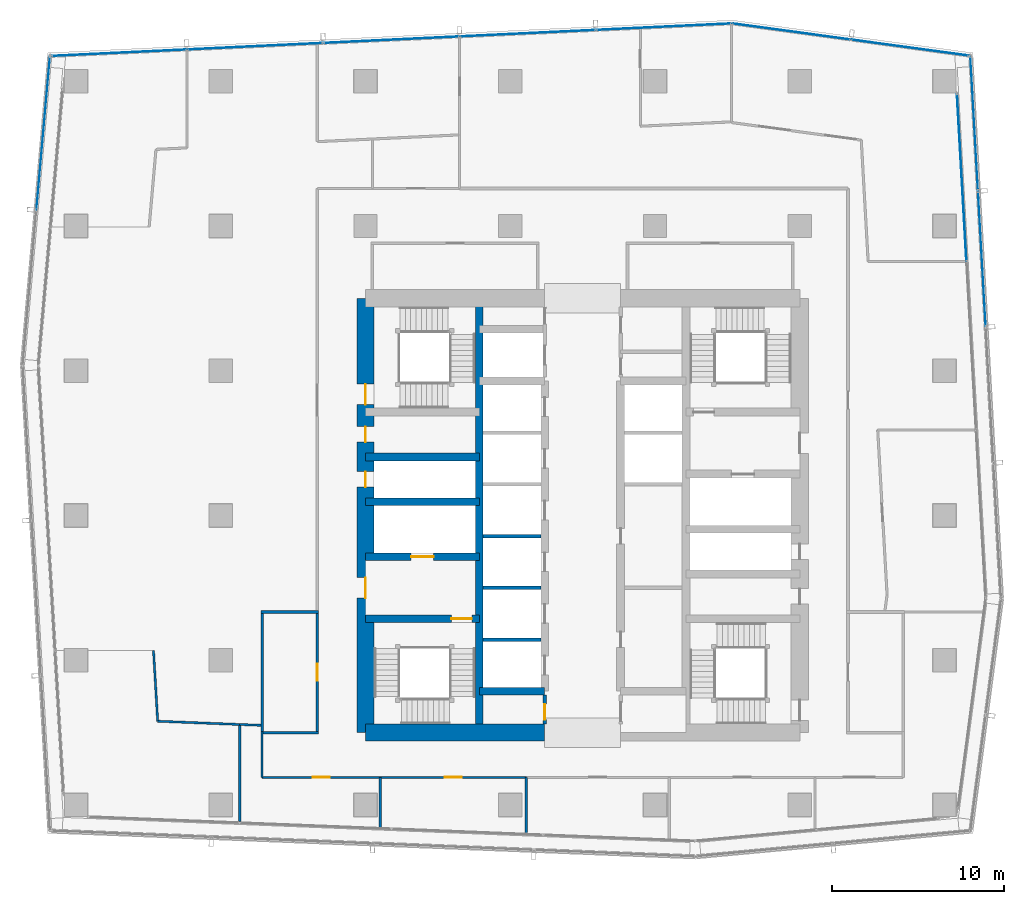
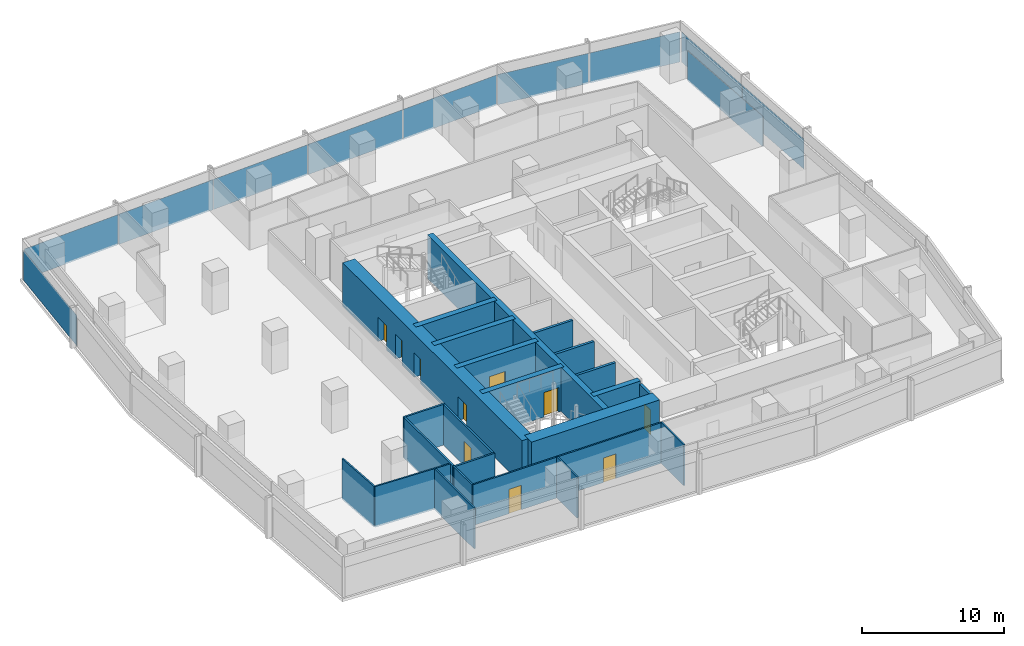
# One storey, part 27 of 40: 25 walls, 11 plates, 10 doors, 10 openings, 5 elements without a shape of their own.
"""IFC4 building model written with IfcOpenShell, lengths in metres."""

from ifc_helpers import new_model, si_unit, direction, frame, frame_2d, origin, origin_2d, place, context, subcontext, project, spatial, rectangle, extrude, material, layer, layer_set, type_object, element, fill, aggregate, save


model = new_model("IFC4")

# Units and contexts
model_context = context("Model", 3, precision=1e-05, world=origin(), true_north=direction((0.0, 1.0)))
body_context = subcontext(model_context, "Body", "Model", "MODEL_VIEW")
ifc_project = project(units=[si_unit("LENGTHUNIT", "METRE"), si_unit("AREAUNIT", "SQUARE_METRE"), si_unit("VOLUMEUNIT", "CUBIC_METRE"), si_unit("PLANEANGLEUNIT", "RADIAN"), si_unit("MASSUNIT", "GRAM", prefix="KILO")], contexts=[model_context])

# Site, building, storey
site_placement = place(None, origin())
site = spatial("IfcSite", under=ifc_project, at=site_placement, CompositionType="ELEMENT")
building_placement = place(site_placement, origin())
building = spatial("IfcBuilding", under=site, at=building_placement, Name="Rekha Terrace Tower", CompositionType="ELEMENT")
storey_placement = place(building_placement, frame((0.0, 0.0, 210.199951171875)))
storey = spatial("IfcBuildingStorey", under=building, at=storey_placement, Name="L53", CompositionType="ELEMENT", Elevation=210.199951171875)

# Curtain wall, plate
ifc_material_1 = material(Name="Aluminium framing", Category="aluminium")
curtain_wall_type_1 = type_object("IfcCurtainWallType", Name="CW1 double skin inner glazing", PredefinedType="USERDEFINED", material=ifc_material_1)
curtain_wall_1_placement = place(storey_placement, origin())
curtain_wall_1 = element("IfcCurtainWall", 1, at=curtain_wall_1_placement, inside=storey, type_object=curtain_wall_type_1, Name="CW1 double skin inner glazing", ObjectType="DOUBLE SKIN INNER GLAZING", PredefinedType="USERDEFINED")
ifc_material_2 = material(Name="Double-glazed low-e unit 32", Category="glass")
ifc_layer_1 = layer(ifc_material_2, 0.031982421875)
ifc_layer_set_1 = layer_set([ifc_layer_1], Name="Double-glazed low-e unit 32")
plate_type_1 = type_object("IfcPlateType", Name="CW1 jumbo vision panel, double-glazed low-e unit 32", PredefinedType="CURTAIN_PANEL", material=ifc_layer_set_1)
plate_1_placement = place(storey_placement, frame((59.799560546875, 53.203369140625, 0.0), z_axis=(0.0, 0.0, 1.0), x_axis=(-0.05667319486, 0.998392782919, 0.0)))
plate_1 = element("IfcPlate", 2, at=plate_1_placement, type_object=plate_type_1, Name="CW1 panel 3.1", PredefinedType="CURTAIN_PANEL", context=body_context, shape_type="SweptSolid", body=[
    extrude(rectangle(XDim=9.694091796875, YDim=0.031982421875, at=origin_2d()), origin(), (0.0, 0.0, 1.0), 2.60009765625),
])
aggregate(curtain_wall_1, [plate_1])

# Curtain wall, plates
curtain_wall_type_2 = type_object("IfcCurtainWallType", Name="CW2 double skin outer glazing", PredefinedType="USERDEFINED", material=ifc_material_1)
curtain_wall_2_placement = place(storey_placement, origin())
curtain_wall_2 = element("IfcCurtainWall", 3, at=curtain_wall_2_placement, inside=storey, type_object=curtain_wall_type_2, Name="CW2 double skin outer glazing", ObjectType="DOUBLE SKIN OUTER GLAZING", PredefinedType="USERDEFINED")
ifc_material_3 = material(Name="Toughened single glazing 12", Category="glass")
ifc_layer_2 = layer(ifc_material_3, 0.011962890625)
ifc_layer_set_2 = layer_set([ifc_layer_2], Name="Toughened single glazing 12")
plate_type_2 = type_object("IfcPlateType", Name="CW2 jumbo vision panel, toughened single glazing 12", PredefinedType="CURTAIN_PANEL", material=ifc_layer_set_2)
plate_2_placement = place(storey_placement, frame((60.9697265625, 48.47314453125, 0.0), z_axis=(0.0, 0.0, 1.0), x_axis=(-0.05667319486, 0.998392782919, 0.0)))
plate_2 = element("IfcPlate", 4, at=plate_2_placement, type_object=plate_type_2, Name="CW2 panel 3.1", PredefinedType="CURTAIN_PANEL", context=body_context, shape_type="SweptSolid", body=[
    extrude(rectangle(XDim=7.823486328125, YDim=0.011962890625, at=origin_2d()), origin(), (0.0, 0.0, 1.0), 2.60009765625),
])
plate_3_placement = place(storey_placement, frame((60.522705078125, 56.343994140625, 0.0), z_axis=(0.0, 0.0, 1.0), x_axis=(-0.05667319486, 0.998392782919, 0.0)))
plate_3 = element("IfcPlate", 5, at=plate_3_placement, type_object=plate_type_2, Name="CW2 panel 4.1", PredefinedType="CURTAIN_PANEL", context=body_context, shape_type="SweptSolid", body=[
    extrude(rectangle(XDim=7.783447265625, YDim=0.011962890625, at=origin_2d()), origin(), (0.0, 0.0, 1.0), 2.60009765625),
])
aggregate(curtain_wall_2, [plate_2, plate_3])

# Curtain wall, plate
curtain_wall_3_placement = place(storey_placement, origin())
curtain_wall_3 = element("IfcCurtainWall", 6, at=curtain_wall_3_placement, inside=storey, type_object=curtain_wall_type_2, Name="CW2 double skin outer glazing", ObjectType="DOUBLE SKIN OUTER GLAZING", PredefinedType="USERDEFINED")
plate_4_placement = place(storey_placement, frame((6.498779296875, 55.78466796875, 0.0), z_axis=(0.0, 0.0, 1.0), x_axis=(-0.087957985453, -0.996124185428, 0.0)))
plate_4 = element("IfcPlate", 7, at=plate_4_placement, type_object=plate_type_2, Name="CW2 panel 1.1", PredefinedType="CURTAIN_PANEL", context=body_context, shape_type="SweptSolid", body=[
    extrude(rectangle(XDim=8.899658203125, YDim=0.011962890625, at=origin_2d()), origin(), (0.0, 0.0, 1.0), 2.60009765625),
])
aggregate(curtain_wall_3, [plate_4])

# Curtain wall, plates
curtain_wall_type_3 = type_object("IfcCurtainWallType", Name="CW3 north unitised glazing", PredefinedType="USERDEFINED", material=ifc_material_1)
curtain_wall_4_placement = place(storey_placement, origin())
curtain_wall_4 = element("IfcCurtainWall", 8, at=curtain_wall_4_placement, inside=storey, type_object=curtain_wall_type_3, Name="CW3 unitised curtain wall", ObjectType="UNITISED CURTAIN WALL", PredefinedType="USERDEFINED")
ifc_material_4 = material(Name="Double-glazed unit 28", Category="glass")
ifc_layer_3 = layer(ifc_material_4, 0.028076171875)
ifc_layer_set_3 = layer_set([ifc_layer_3], Name="Double-glazed unit 28")
plate_type_3 = type_object("IfcPlateType", Name="CW3 jumbo vision panel, double-glazed unit 28", PredefinedType="CURTAIN_PANEL", material=ifc_layer_set_3)
plate_5_placement = place(storey_placement, frame((56.797119140625, 60.745361328125, 0.0), z_axis=(0.0, 0.0, 1.0), x_axis=(-0.990867270504, 0.134840840416, 0.0)))
plate_5 = element("IfcPlate", 9, at=plate_5_placement, type_object=plate_type_3, Name="CW3 panel 1.1", PredefinedType="CURTAIN_PANEL", context=body_context, shape_type="SweptSolid", body=[
    extrude(rectangle(XDim=6.8486328125, YDim=0.028076171875, at=origin_2d()), origin(), (0.0, 0.0, 1.0), 2.60009765625),
])
plate_6_placement = place(storey_placement, frame((49.906982421875, 61.682861328125, 0.0), z_axis=(0.0, 0.0, 1.0), x_axis=(-0.990867270504, 0.134840840416, 0.0)))
plate_6 = element("IfcPlate", 10, at=plate_6_placement, type_object=plate_type_3, Name="CW3 panel 2.1", PredefinedType="CURTAIN_PANEL", context=body_context, shape_type="SweptSolid", body=[
    extrude(rectangle(XDim=6.918701171875, YDim=0.028076171875, at=origin_2d()), origin(), (0.0, 0.0, 1.0), 2.60009765625),
])
aggregate(curtain_wall_4, [plate_5, plate_6])

curtain_wall_5_placement = place(storey_placement, origin())
curtain_wall_5 = element("IfcCurtainWall", 11, at=curtain_wall_5_placement, inside=storey, type_object=curtain_wall_type_3, Name="CW3 unitised curtain wall", ObjectType="UNITISED CURTAIN WALL", PredefinedType="USERDEFINED")
plate_7_placement = place(storey_placement, frame((42.50732421875, 61.95947265625, 0.0), z_axis=(0.0, 0.0, 1.0), x_axis=(-0.998858906204, -0.047758616983, 0.0)))
plate_7 = element("IfcPlate", 12, at=plate_7_placement, type_object=plate_type_3, Name="CW3 panel 1.1", PredefinedType="CURTAIN_PANEL", context=body_context, shape_type="SweptSolid", body=[
    extrude(rectangle(XDim=7.81298828125, YDim=0.028076171875, at=origin_2d()), origin(), (0.0, 0.0, 1.0), 2.60009765625),
])
plate_8_placement = place(storey_placement, frame((34.61572265625, 61.58203125, 0.0), z_axis=(0.0, 0.0, 1.0), x_axis=(-0.998858906204, -0.047758616983, 0.0)))
plate_8 = element("IfcPlate", 13, at=plate_8_placement, type_object=plate_type_3, Name="CW3 panel 2.1", PredefinedType="CURTAIN_PANEL", context=body_context, shape_type="SweptSolid", body=[
    extrude(rectangle(XDim=7.84814453125, YDim=0.028076171875, at=origin_2d()), origin(), (0.0, 0.0, 1.0), 2.60009765625),
])
plate_9_placement = place(storey_placement, frame((26.70654296875, 61.203857421875, 0.0), z_axis=(0.0, 0.0, 1.0), x_axis=(-0.998858906204, -0.047758616983, 0.0)))
plate_9 = element("IfcPlate", 14, at=plate_9_placement, type_object=plate_type_3, Name="CW3 panel 3.1", PredefinedType="CURTAIN_PANEL", context=body_context, shape_type="SweptSolid", body=[
    extrude(rectangle(XDim=7.84814453125, YDim=0.028076171875, at=origin_2d()), origin(), (0.0, 0.0, 1.0), 2.60009765625),
])
plate_10_placement = place(storey_placement, frame((18.79736328125, 60.82568359375, 0.0), z_axis=(0.0, 0.0, 1.0), x_axis=(-0.998858906204, -0.047758616983, 0.0)))
plate_10 = element("IfcPlate", 15, at=plate_10_placement, type_object=plate_type_3, Name="CW3 panel 4.1", PredefinedType="CURTAIN_PANEL", context=body_context, shape_type="SweptSolid", body=[
    extrude(rectangle(XDim=7.84814453125, YDim=0.028076171875, at=origin_2d()), origin(), (0.0, 0.0, 1.0), 2.60009765625),
])
plate_11_placement = place(storey_placement, frame((10.906005859375, 60.448486328125, 0.0), z_axis=(0.0, 0.0, 1.0), x_axis=(-0.998858906204, -0.047758616983, 0.0)))
plate_11 = element("IfcPlate", 16, at=plate_11_placement, type_object=plate_type_3, Name="CW3 panel 5.1", PredefinedType="CURTAIN_PANEL", context=body_context, shape_type="SweptSolid", body=[
    extrude(rectangle(XDim=7.81298828125, YDim=0.028076171875, at=origin_2d()), origin(), (0.0, 0.0, 1.0), 2.60009765625),
])
aggregate(curtain_wall_5, [plate_7, plate_8, plate_9, plate_10, plate_11])

# Walls
ifc_material_5 = material(Name="Concrete M60", Category="concrete")
ifc_layer_4 = layer(ifc_material_5, 0.449951171875)
ifc_layer_set_4 = layer_set([ifc_layer_4], Name="Concrete M60")
wall_type_1 = type_object("IfcWallType", Name="CI3 450 core internal shear wall", PredefinedType="SHEAR", material=ifc_layer_set_4)
wall_1_placement = place(storey_placement, frame((31.800048828125, 21.0, 0.0), z_axis=(0.0, 0.0, 1.0), x_axis=(0.0, 1.0, 0.0)))
element("IfcWall", 17, at=wall_1_placement, inside=storey, type_object=wall_type_1, Name="Core wall X318 L53", PredefinedType="SHEAR", context=body_context, shape_type="SweptSolid", body=[
    extrude(rectangle(XDim=25.199951171875, YDim=0.449951171875, at=frame_2d((12.60009765625, 0.0))), origin(), (0.0, 0.0, 1.0), 3.75),
])
wall_2_placement = place(storey_placement, frame((31.800048828125, 23.39990234375, 0.0), z_axis=(0.0, 0.0, 1.0), x_axis=(1.0, 0.0, 0.0)))
element("IfcWall", 18, at=wall_2_placement, inside=storey, type_object=wall_type_1, Name="Core wall Y234W L53", PredefinedType="SHEAR", context=body_context, shape_type="SweptSolid", body=[
    extrude(rectangle(XDim=3.800048828125, YDim=0.449951171875, at=frame_2d((1.89990234375, 0.0))), origin(), (0.0, 0.0, 1.0), 3.75),
])

# Wall, opening, door
wall_3_placement = place(storey_placement, frame((25.199951171875, 27.60009765625, 0.0), z_axis=(0.0, 0.0, 1.0), x_axis=(1.0, 0.0, 0.0)))
wall_3 = element("IfcWall", 19, at=wall_3_placement, inside=storey, type_object=wall_type_1, Name="Core wall Y276W L53", PredefinedType="SHEAR", context=body_context, shape_type="SweptSolid", body=[
    extrude(rectangle(XDim=6.60009765625, YDim=0.449951171875, at=frame_2d((3.300048828125, 0.0))), origin(), (0.0, 0.0, 1.0), 3.75),
])
opening_1_placement = place(wall_3_placement, frame((4.97509765625, 0.0, 0.0)))
opening_1 = element("IfcOpeningElement", 20, at=opening_1_placement, cuts=wall_3, Name="Opening D1", PredefinedType="OPENING", context=body_context, shape_type="SweptSolid", body=[
    extrude(rectangle(XDim=1.199951171875, YDim=2.10009765625, at=frame_2d((0.60009765625, 1.050048828125))), frame((0.0, 0.23486328125, 0.0), z_axis=(0.0, -1.0, 0.0), x_axis=(1.0, 0.0, 0.0)), (0.0, 0.0, 1.0), 0.469970703125),
])
ifc_material_6 = material(Name="Steel fire door", Category="steel")
door_type_1 = type_object("IfcDoorType", Name="D1 1200x2100 stair fire door", OperationType="SINGLE_SWING_RIGHT", PredefinedType="DOOR", material=ifc_material_6)
door_1_placement = place(opening_1_placement, origin())
door_1 = element("IfcDoor", 21, at=door_1_placement, inside=storey, type_object=door_type_1, Name="Stair ST1 door L53", OperationType="SINGLE_SWING_RIGHT", OverallHeight=2.10009765625, OverallWidth=1.199951171875, PredefinedType="DOOR", context=body_context, shape_type="SweptSolid", body=[
    extrude(rectangle(XDim=1.199951171875, YDim=2.10009765625, at=frame_2d((0.60009765625, 1.050048828125))), frame((0.0, 0.02490234375, 0.0), z_axis=(0.0, -1.0, 0.0), x_axis=(1.0, 0.0, 0.0)), (0.0, 0.0, 1.0), 0.050048828125),
])
fill(opening_1, door_1)

wall_4_placement = place(storey_placement, frame((25.199951171875, 31.199951171875, 0.0), z_axis=(0.0, 0.0, 1.0), x_axis=(1.0, 0.0, 0.0)))
wall_4 = element("IfcWall", 22, at=wall_4_placement, inside=storey, type_object=wall_type_1, Name="Core wall Y312W L53", PredefinedType="SHEAR", context=body_context, shape_type="SweptSolid", body=[
    extrude(rectangle(XDim=6.60009765625, YDim=0.449951171875, at=frame_2d((3.300048828125, 0.0))), origin(), (0.0, 0.0, 1.0), 3.75),
])
opening_2_placement = place(wall_4_placement, frame((2.64990234375, 0.0, 0.0)))
opening_2 = element("IfcOpeningElement", 23, at=opening_2_placement, cuts=wall_4, Name="Opening LD2", PredefinedType="OPENING", context=body_context, shape_type="SweptSolid", body=[
    extrude(rectangle(XDim=1.300048828125, YDim=2.10009765625, at=frame_2d((0.64990234375, 1.050048828125))), frame((0.0, 0.23486328125, 0.0), z_axis=(0.0, -1.0, 0.0), x_axis=(1.0, 0.0, 0.0)), (0.0, 0.0, 1.0), 0.469970703125),
])
ifc_material_7 = material(Name="Stainless steel sliding landing door", Category="steel")
door_type_2 = type_object("IfcDoorType", Name="LD2 1300x2100 fire lift landing door", OperationType="SLIDING_TO_LEFT", PredefinedType="USERDEFINED", material=ifc_material_7)
door_2_placement = place(opening_2_placement, origin())
door_2 = element("IfcDoor", 24, at=door_2_placement, inside=storey, type_object=door_type_2, Name="Lift FL1 landing door L53", ObjectType="LIFT LANDING DOOR", OperationType="SLIDING_TO_LEFT", OverallHeight=2.10009765625, OverallWidth=1.300048828125, PredefinedType="USERDEFINED", context=body_context, shape_type="SweptSolid", body=[
    extrude(rectangle(XDim=1.300048828125, YDim=2.10009765625, at=frame_2d((0.64990234375, 1.050048828125))), frame((0.0, 0.02490234375, 0.0), z_axis=(0.0, -1.0, 0.0), x_axis=(1.0, 0.0, 0.0)), (0.0, 0.0, 1.0), 0.050048828125),
])
fill(opening_2, door_2)

# Walls
for number, where, z_axis, x_axis, name in (
    (25, (25.199951171875, 34.39990234375, 0.0), (0.0, 0.0, 1.0), (1.0, 0.0, 0.0), "Core wall Y344W L53"),
    (26, (25.199951171875, 37.0, 0.0), (0.0, 0.0, 1.0), (1.0, 0.0, 0.0), "Core wall Y370W L53"),
):
    element("IfcWall", number, at=place(storey_placement, frame(where, z_axis=z_axis, x_axis=x_axis)), inside=storey, type_object=wall_type_1, Name=name, PredefinedType="SHEAR", context=body_context, shape_type="SweptSolid", body=[
        extrude(rectangle(XDim=6.60009765625, YDim=0.449951171875, at=frame_2d((3.300048828125, 0.0))), origin(), (0.0, 0.0, 1.0), 3.75),
    ])
ifc_layer_5 = layer(ifc_material_5, 1.0)
ifc_layer_set_5 = layer_set([ifc_layer_5], Name="Concrete M60")
wall_type_2 = type_object("IfcWallType", Name="SW3 1000 core outer shear wall", PredefinedType="SHEAR", material=ifc_layer_set_5)
wall_5_placement = place(storey_placement, frame((25.199951171875, 21.0, 0.0), z_axis=(0.0, 0.0, 1.0), x_axis=(1.0, 0.0, 0.0)))
element("IfcWall", 27, at=wall_5_placement, inside=storey, type_object=wall_type_2, Name="Core wall S1 L53", PredefinedType="SHEAR", context=body_context, shape_type="SweptSolid", body=[
    extrude(rectangle(XDim=10.400146484375, YDim=1.0, at=frame_2d((5.2001953125, 0.0))), origin(), (0.0, 0.0, 1.0), 3.75),
])

# Wall, openings, doors
wall_6_placement = place(storey_placement, frame((25.199951171875, 21.0, 0.0), z_axis=(0.0, 0.0, 1.0), x_axis=(0.0, 1.0, 0.0)))
wall_6 = element("IfcWall", 28, at=wall_6_placement, inside=storey, type_object=wall_type_2, Name="Core wall W L53", PredefinedType="SHEAR", context=body_context, shape_type="SweptSolid", body=[
    extrude(rectangle(XDim=25.199951171875, YDim=1.0, at=frame_2d((12.60009765625, 0.0))), origin(), (0.0, 0.0, 1.0), 3.75),
])
opening_3_placement = place(wall_6_placement, frame((7.800048828125, 0.0, 0.0)))
opening_3 = element("IfcOpeningElement", 29, at=opening_3_placement, cuts=wall_6, Name="Opening D2", PredefinedType="OPENING", context=body_context, shape_type="SweptSolid", body=[
    extrude(rectangle(XDim=1.199951171875, YDim=2.10009765625, at=frame_2d((0.60009765625, 1.050048828125))), frame((0.0, 0.510009765625, 0.0), z_axis=(0.0, -1.0, 0.0), x_axis=(1.0, 0.0, 0.0)), (0.0, 0.0, 1.0), 1.02001953125),
])
opening_4_placement = place(wall_6_placement, frame((14.25, 0.0, 0.0)))
opening_4 = element("IfcOpeningElement", 30, at=opening_4_placement, cuts=wall_6, Name="Opening D5", PredefinedType="OPENING", context=body_context, shape_type="SweptSolid", body=[
    extrude(rectangle(XDim=0.89990234375, YDim=2.10009765625, at=frame_2d((0.449951171875, 1.050048828125))), frame((0.0, 0.510009765625, 0.0), z_axis=(0.0, -1.0, 0.0), x_axis=(1.0, 0.0, 0.0)), (0.0, 0.0, 1.0), 1.02001953125),
])
opening_5_placement = place(wall_6_placement, frame((16.85009765625, 0.0, 0.0)))
opening_5 = element("IfcOpeningElement", 31, at=opening_5_placement, cuts=wall_6, Name="Opening D5", PredefinedType="OPENING", context=body_context, shape_type="SweptSolid", body=[
    extrude(rectangle(XDim=0.89990234375, YDim=2.10009765625, at=frame_2d((0.449951171875, 1.050048828125))), frame((0.0, 0.510009765625, 0.0), z_axis=(0.0, -1.0, 0.0), x_axis=(1.0, 0.0, 0.0)), (0.0, 0.0, 1.0), 1.02001953125),
])
opening_6_placement = place(wall_6_placement, frame((19.02490234375, 0.0, 0.0)))
opening_6 = element("IfcOpeningElement", 32, at=opening_6_placement, cuts=wall_6, Name="Opening D1", PredefinedType="OPENING", context=body_context, shape_type="SweptSolid", body=[
    extrude(rectangle(XDim=1.199951171875, YDim=2.10009765625, at=frame_2d((0.60009765625, 1.050048828125))), frame((0.0, 0.510009765625, 0.0), z_axis=(0.0, -1.0, 0.0), x_axis=(1.0, 0.0, 0.0)), (0.0, 0.0, 1.0), 1.02001953125),
])
door_3_placement = place(opening_6_placement, origin())
door_3 = element("IfcDoor", 33, at=door_3_placement, inside=storey, type_object=door_type_1, Name="Stair ST4 door L53", OperationType="SINGLE_SWING_RIGHT", OverallHeight=2.10009765625, OverallWidth=1.199951171875, PredefinedType="DOOR", context=body_context, shape_type="SweptSolid", body=[
    extrude(rectangle(XDim=1.199951171875, YDim=2.10009765625, at=frame_2d((0.60009765625, 1.050048828125))), frame((0.0, 0.02490234375, 0.0), z_axis=(0.0, -1.0, 0.0), x_axis=(1.0, 0.0, 0.0)), (0.0, 0.0, 1.0), 0.050048828125),
])
fill(opening_6, door_3)
door_type_3 = type_object("IfcDoorType", Name="D2 1200x2100 firefighting lobby door", OperationType="SINGLE_SWING_LEFT", PredefinedType="DOOR", material=ifc_material_6)
door_4_placement = place(opening_3_placement, origin())
door_4 = element("IfcDoor", 34, at=door_4_placement, inside=storey, type_object=door_type_3, Name="Door flb1 L53", OperationType="SINGLE_SWING_LEFT", OverallHeight=2.10009765625, OverallWidth=1.199951171875, PredefinedType="DOOR", context=body_context, shape_type="SweptSolid", body=[
    extrude(rectangle(XDim=1.199951171875, YDim=2.10009765625, at=frame_2d((0.60009765625, 1.050048828125))), frame((0.0, 0.02490234375, 0.0), z_axis=(0.0, -1.0, 0.0), x_axis=(1.0, 0.0, 0.0)), (0.0, 0.0, 1.0), 0.050048828125),
])
fill(opening_3, door_4)
door_type_4 = type_object("IfcDoorType", Name="D5 900x2100 riser access door", OperationType="SINGLE_SWING_LEFT", PredefinedType="DOOR", material=ifc_material_6)
door_5_placement = place(opening_4_placement, origin())
door_5 = element("IfcDoor", 35, at=door_5_placement, inside=storey, type_object=door_type_4, Name="Door rs1 L53", OperationType="SINGLE_SWING_LEFT", OverallHeight=2.10009765625, OverallWidth=0.89990234375, PredefinedType="DOOR", context=body_context, shape_type="SweptSolid", body=[
    extrude(rectangle(XDim=0.89990234375, YDim=2.10009765625, at=frame_2d((0.449951171875, 1.050048828125))), frame((0.0, 0.02490234375, 0.0), z_axis=(0.0, -1.0, 0.0), x_axis=(1.0, 0.0, 0.0)), (0.0, 0.0, 1.0), 0.050048828125),
])
fill(opening_4, door_5)
door_6_placement = place(opening_5_placement, origin())
door_6 = element("IfcDoor", 36, at=door_6_placement, inside=storey, type_object=door_type_4, Name="Door elw L53", OperationType="SINGLE_SWING_LEFT", OverallHeight=2.10009765625, OverallWidth=0.89990234375, PredefinedType="DOOR", context=body_context, shape_type="SweptSolid", body=[
    extrude(rectangle(XDim=0.89990234375, YDim=2.10009765625, at=frame_2d((0.449951171875, 1.050048828125))), frame((0.0, 0.02490234375, 0.0), z_axis=(0.0, -1.0, 0.0), x_axis=(1.0, 0.0, 0.0)), (0.0, 0.0, 1.0), 0.050048828125),
])
fill(opening_5, door_6)

# Walls
ifc_material_8 = material(Name="Concrete block masonry, 1 hour", Category="masonry")
ifc_layer_6 = layer(ifc_material_8, 0.14990234375)
ifc_layer_set_6 = layer_set([ifc_layer_6], Name="Concrete block masonry, 1 hour")
wall_type_3 = type_object("IfcWallType", Name="WP2 150 tenancy partition", PredefinedType="PARTITIONING", material=ifc_layer_set_6)
for number, where, z_axis, x_axis, name in (
    (37, (19.125, 21.0, 0.0), (0.0, 0.0, 1.0), (1.0, 0.0, 0.0), "Men's WC wall L53"),
    (38, (19.125, 28.0, 0.0), (0.0, 0.0, 1.0), (1.0, 0.0, 0.0), "Men's WC wall L53"),
):
    element("IfcWall", number, at=place(storey_placement, frame(where, z_axis=z_axis, x_axis=x_axis)), inside=storey, type_object=wall_type_3, Name=name, PredefinedType="PARTITIONING", context=body_context, shape_type="SweptSolid", body=[
        extrude(rectangle(XDim=3.35009765625, YDim=0.14990234375, at=frame_2d((1.675048828125, 0.0))), origin(), (0.0, 0.0, 1.0), 3.5),
    ])
wall_7_placement = place(storey_placement, frame((19.199951171875, 21.074951171875, 0.0), z_axis=(0.0, 0.0, 1.0), x_axis=(0.0, 1.0, 0.0)))
element("IfcWall", 39, at=wall_7_placement, inside=storey, type_object=wall_type_3, Name="Men's WC wall L53", PredefinedType="PARTITIONING", context=body_context, shape_type="SweptSolid", body=[
    extrude(rectangle(XDim=6.85009765625, YDim=0.14990234375, at=frame_2d((3.425048828125, 0.0))), origin(), (0.0, 0.0, 1.0), 3.5),
])

# Wall, opening, door
wall_8_placement = place(storey_placement, frame((22.39990234375, 21.074951171875, 0.0), z_axis=(0.0, 0.0, 1.0), x_axis=(0.0, 1.0, 0.0)))
wall_8 = element("IfcWall", 40, at=wall_8_placement, inside=storey, type_object=wall_type_3, Name="Men's WC wall L53", PredefinedType="PARTITIONING", context=body_context, shape_type="SweptSolid", body=[
    extrude(rectangle(XDim=6.85009765625, YDim=0.14990234375, at=frame_2d((3.425048828125, 0.0))), origin(), (0.0, 0.0, 1.0), 3.5),
])
opening_7_placement = place(wall_8_placement, frame((2.925048828125, 0.0, 0.0)))
opening_7 = element("IfcOpeningElement", 41, at=opening_7_placement, cuts=wall_8, Name="Opening D3", PredefinedType="OPENING", context=body_context, shape_type="SweptSolid", body=[
    extrude(rectangle(XDim=1.0, YDim=2.10009765625, at=frame_2d((0.5, 1.050048828125))), frame((0.0, 0.0849609375, 0.0), z_axis=(0.0, -1.0, 0.0), x_axis=(1.0, 0.0, 0.0)), (0.0, 0.0, 1.0), 0.169921875),
])
ifc_material_9 = material(Name="Laminated timber fire door", Category="wood")
door_type_5 = type_object("IfcDoorType", Name="D3 1000x2100 WC door", OperationType="SINGLE_SWING_LEFT", PredefinedType="DOOR", material=ifc_material_9)
door_7_placement = place(opening_7_placement, origin())
door_7 = element("IfcDoor", 42, at=door_7_placement, inside=storey, type_object=door_type_5, Name="Door men's wc L53", OperationType="SINGLE_SWING_LEFT", OverallHeight=2.10009765625, OverallWidth=1.0, PredefinedType="DOOR", context=body_context, shape_type="SweptSolid", body=[
    extrude(rectangle(XDim=1.0, YDim=2.10009765625, at=frame_2d((0.5, 1.050048828125))), frame((0.0, 0.02490234375, 0.0), z_axis=(0.0, -1.0, 0.0), x_axis=(1.0, 0.0, 0.0)), (0.0, 0.0, 1.0), 0.050048828125),
])
fill(opening_7, door_7)

# Walls
ifc_material_10 = material(Name="Two layers of fire-rated gypsum board each side on steel studs, acoustic quilt, 1 hour", Category="steel")
ifc_layer_7 = layer(ifc_material_10, 0.125)
ifc_layer_set_7 = layer_set([ifc_layer_7], Name="Two layers of fire-rated gypsum board each side on steel studs, acoustic quilt, 1 hour")
wall_type_4 = type_object("IfcWallType", Name="WP3 125 office partition", PredefinedType="PARTITIONING", material=ifc_layer_set_7)
wall_9_placement = place(storey_placement, frame((34.531005859375, 15.181884765625, 0.0), z_axis=(0.0, 0.0, 1.0), x_axis=(0.0, 1.0, 0.0)))
element("IfcWall", 43, at=wall_9_placement, inside=storey, type_object=wall_type_4, Name="Partition L53-02", PredefinedType="PARTITIONING", context=body_context, shape_type="SweptSolid", body=[
    extrude(rectangle(XDim=3.218017578125, YDim=0.125, at=frame_2d((1.60888671875, 0.0))), origin(), (0.0, 0.0, 1.0), 3.5),
])
wall_10_placement = place(storey_placement, frame((17.89892578125, 21.470947265625, 0.0), z_axis=(0.0, 0.0, 1.0), x_axis=(0.0, -1.0, 0.0)))
element("IfcWall", 44, at=wall_10_placement, inside=storey, type_object=wall_type_4, Name="Partition L53-12", PredefinedType="PARTITIONING", context=body_context, shape_type="SweptSolid", body=[
    extrude(rectangle(XDim=5.625, YDim=0.125, at=frame_2d((2.8125, 0.0))), origin(), (0.0, 0.0, 1.0), 3.5),
])
wall_11_placement = place(storey_placement, frame((12.89697265625, 25.76611328125, 0.0), z_axis=(0.0, 0.0, 1.0), x_axis=(0.058833387196, -0.998267816045, 0.0)))
element("IfcWall", 45, at=wall_11_placement, inside=storey, type_object=wall_type_4, Name="Partition L53-12", PredefinedType="PARTITIONING", context=body_context, shape_type="SweptSolid", body=[
    extrude(rectangle(XDim=4.1123046875, YDim=0.125, at=frame_2d((2.05615234375, 0.0))), origin(), (0.0, 0.0, 1.0), 3.5),
])
wall_12_placement = place(storey_placement, frame((13.138916015625, 21.660888671875, 0.0), z_axis=(0.0, 0.0, 1.0), x_axis=(0.999204801872, -0.039871843661, 0.0)))
element("IfcWall", 46, at=wall_12_placement, inside=storey, type_object=wall_type_4, Name="Partition L53-12", PredefinedType="PARTITIONING", context=body_context, shape_type="SweptSolid", body=[
    extrude(rectangle(XDim=4.763916015625, YDim=0.125, at=frame_2d((2.3818359375, 0.0))), origin(), (0.0, 0.0, 1.0), 3.5),
])

# Wall, opening, door
wall_13_placement = place(storey_placement, frame((19.199951171875, 18.39990234375, 0.0), z_axis=(0.0, 0.0, 1.0), x_axis=(1.0, 0.0, 0.0)))
wall_13 = element("IfcWall", 47, at=wall_13_placement, inside=storey, type_object=wall_type_4, Name="Partition L53-13", PredefinedType="PARTITIONING", context=body_context, shape_type="SweptSolid", body=[
    extrude(rectangle(XDim=6.85693359375, YDim=0.125, at=frame_2d((3.428466796875, 0.0))), origin(), (0.0, 0.0, 1.0), 3.5),
])
opening_8_placement = place(wall_13_placement, frame((2.927978515625, 0.0, 0.0)))
opening_8 = element("IfcOpeningElement", 48, at=opening_8_placement, cuts=wall_13, Name="Opening D9", PredefinedType="OPENING", context=body_context, shape_type="SweptSolid", body=[
    extrude(rectangle(XDim=1.0, YDim=2.10009765625, at=frame_2d((0.5, 1.050048828125))), frame((0.0, 0.072509765625, 0.0), z_axis=(0.0, -1.0, 0.0), x_axis=(1.0, 0.0, 0.0)), (0.0, 0.0, 1.0), 0.14501953125),
])
ifc_material_11 = material(Name="Timber fire door", Category="wood")
door_type_6 = type_object("IfcDoorType", Name="D9 1000x2100 office door", OperationType="SINGLE_SWING_LEFT", PredefinedType="DOOR", material=ifc_material_11)
door_8_placement = place(opening_8_placement, origin())
door_8 = element("IfcDoor", 49, at=door_8_placement, inside=storey, type_object=door_type_6, Name="Door pantry L53", OperationType="SINGLE_SWING_LEFT", OverallHeight=2.10009765625, OverallWidth=1.0, PredefinedType="DOOR", context=body_context, shape_type="SweptSolid", body=[
    extrude(rectangle(XDim=1.0, YDim=2.10009765625, at=frame_2d((0.5, 1.050048828125))), frame((0.0, 0.02490234375, 0.0), z_axis=(0.0, -1.0, 0.0), x_axis=(1.0, 0.0, 0.0)), (0.0, 0.0, 1.0), 0.050048828125),
])
fill(opening_8, door_8)

# Walls
wall_14_placement = place(storey_placement, frame((26.056884765625, 18.39990234375, 0.0), z_axis=(0.0, 0.0, 1.0), x_axis=(0.0, -1.0, 0.0)))
element("IfcWall", 50, at=wall_14_placement, inside=storey, type_object=wall_type_4, Name="Partition L53-13", PredefinedType="PARTITIONING", context=body_context, shape_type="SweptSolid", body=[
    extrude(rectangle(XDim=2.909912109375, YDim=0.125, at=frame_2d((1.455078125, 0.0))), origin(), (0.0, 0.0, 1.0), 3.5),
])
wall_15_placement = place(storey_placement, frame((17.89990234375, 21.470947265625, 0.0), z_axis=(0.0, 0.0, 1.0), x_axis=(0.999206674093, -0.039824897333, 0.0)))
element("IfcWall", 51, at=wall_15_placement, inside=storey, type_object=wall_type_4, Name="Partition L53-13", PredefinedType="PARTITIONING", context=body_context, shape_type="SweptSolid", body=[
    extrude(rectangle(XDim=1.22607421875, YDim=0.125, at=frame_2d((0.613037109375, 0.0))), origin(), (0.0, 0.0, 1.0), 3.5),
])
wall_16_placement = place(storey_placement, frame((19.199951171875, 21.074951171875, 0.0), z_axis=(0.0, 0.0, 1.0), x_axis=(0.0, -1.0, 0.0)))
element("IfcWall", 52, at=wall_16_placement, inside=storey, type_object=wall_type_4, Name="Partition L53-13", PredefinedType="PARTITIONING", context=body_context, shape_type="SweptSolid", body=[
    extrude(rectangle(XDim=2.675048828125, YDim=0.125, at=frame_2d((1.33740234375, 0.0))), origin(), (0.0, 0.0, 1.0), 3.5),
])

# Wall, opening, door
wall_17_placement = place(storey_placement, frame((26.05810546875, 18.39990234375, 0.0), z_axis=(0.0, 0.0, 1.0), x_axis=(1.0, 0.0, 0.0)))
wall_17 = element("IfcWall", 53, at=wall_17_placement, inside=storey, type_object=wall_type_4, Name="Partition L53-14", PredefinedType="PARTITIONING", context=body_context, shape_type="SweptSolid", body=[
    extrude(rectangle(XDim=8.471923828125, YDim=0.125, at=frame_2d((4.23583984375, 0.0))), origin(), (0.0, 0.0, 1.0), 3.5),
])
opening_9_placement = place(wall_17_placement, frame((3.736083984375, 0.0, 0.0)))
opening_9 = element("IfcOpeningElement", 54, at=opening_9_placement, cuts=wall_17, Name="Opening D9", PredefinedType="OPENING", context=body_context, shape_type="SweptSolid", body=[
    extrude(rectangle(XDim=1.0, YDim=2.10009765625, at=frame_2d((0.5, 1.050048828125))), frame((0.0, 0.072509765625, 0.0), z_axis=(0.0, -1.0, 0.0), x_axis=(1.0, 0.0, 0.0)), (0.0, 0.0, 1.0), 0.14501953125),
])
door_9_placement = place(opening_9_placement, origin())
door_9 = element("IfcDoor", 55, at=door_9_placement, inside=storey, type_object=door_type_6, Name="Door meeting room L53", OperationType="SINGLE_SWING_LEFT", OverallHeight=2.10009765625, OverallWidth=1.0, PredefinedType="DOOR", context=body_context, shape_type="SweptSolid", body=[
    extrude(rectangle(XDim=1.0, YDim=2.10009765625, at=frame_2d((0.5, 1.050048828125))), frame((0.0, 0.02490234375, 0.0), z_axis=(0.0, -1.0, 0.0), x_axis=(1.0, 0.0, 0.0)), (0.0, 0.0, 1.0), 0.050048828125),
])
fill(opening_9, door_9)

# Walls
ifc_material_12 = material(Name="Solid concrete block masonry, 2 hour", Category="masonry")
ifc_layer_8 = layer(ifc_material_12, 0.199951171875)
ifc_layer_set_8 = layer_set([ifc_layer_8], Name="Solid concrete block masonry, 2 hour")
wall_type_5 = type_object("IfcWallType", Name="WS1 200 stair and shaft enclosure", PredefinedType="PARTITIONING", material=ifc_layer_set_8)
for number, where, z_axis, x_axis, name in (
    (56, (32.02490234375, 26.39990234375, 0.0), (0.0, 0.0, 1.0), (1.0, 0.0, 0.0), "Lift shaft divider L53"),
    (57, (32.02490234375, 29.39990234375, 0.0), (0.0, 0.0, 1.0), (1.0, 0.0, 0.0), "Lift shaft divider L53"),
    (58, (32.02490234375, 32.39990234375, 0.0), (0.0, 0.0, 1.0), (1.0, 0.0, 0.0), "Lift shaft divider L53"),
):
    element("IfcWall", number, at=place(storey_placement, frame(where, z_axis=z_axis, x_axis=x_axis)), inside=storey, type_object=wall_type_5, Name=name, PredefinedType="PARTITIONING", context=body_context, shape_type="SweptSolid", body=[
        extrude(rectangle(XDim=3.35009765625, YDim=0.199951171875, at=frame_2d((1.675048828125, 0.0))), origin(), (0.0, 0.0, 1.0), 3.5),
    ])

# Wall, opening, door
wall_18_placement = place(storey_placement, frame((35.60009765625, 21.5, 0.0), z_axis=(0.0, 0.0, 1.0), x_axis=(0.0, 1.0, 0.0)))
wall_18 = element("IfcWall", 59, at=wall_18_placement, inside=storey, type_object=wall_type_5, Name="Core partition west L53", PredefinedType="PARTITIONING", context=body_context, shape_type="SweptSolid", body=[
    extrude(rectangle(XDim=1.675048828125, YDim=0.199951171875, at=frame_2d((0.83740234375, 0.0))), origin(), (0.0, 0.0, 1.0), 3.5),
])
opening_10_placement = place(wall_18_placement, frame((0.25, 0.0, 0.0)))
opening_10 = element("IfcOpeningElement", 60, at=opening_10_placement, cuts=wall_18, Name="Opening D5", PredefinedType="OPENING", context=body_context, shape_type="SweptSolid", body=[
    extrude(rectangle(XDim=0.89990234375, YDim=2.10009765625, at=frame_2d((0.449951171875, 1.050048828125))), frame((0.0, 0.10986328125, 0.0), z_axis=(0.0, -1.0, 0.0), x_axis=(1.0, 0.0, 0.0)), (0.0, 0.0, 1.0), 0.219970703125),
])
door_10_placement = place(opening_10_placement, origin())
door_10 = element("IfcDoor", 61, at=door_10_placement, inside=storey, type_object=door_type_4, Name="Door tenant store L53", OperationType="SINGLE_SWING_LEFT", OverallHeight=2.10009765625, OverallWidth=0.89990234375, PredefinedType="DOOR", context=body_context, shape_type="SweptSolid", body=[
    extrude(rectangle(XDim=0.89990234375, YDim=2.10009765625, at=frame_2d((0.449951171875, 1.050048828125))), frame((0.0, 0.02490234375, 0.0), z_axis=(0.0, -1.0, 0.0), x_axis=(1.0, 0.0, 0.0)), (0.0, 0.0, 1.0), 0.050048828125),
])
fill(opening_10, door_10)

save(model, "model.ifc")
